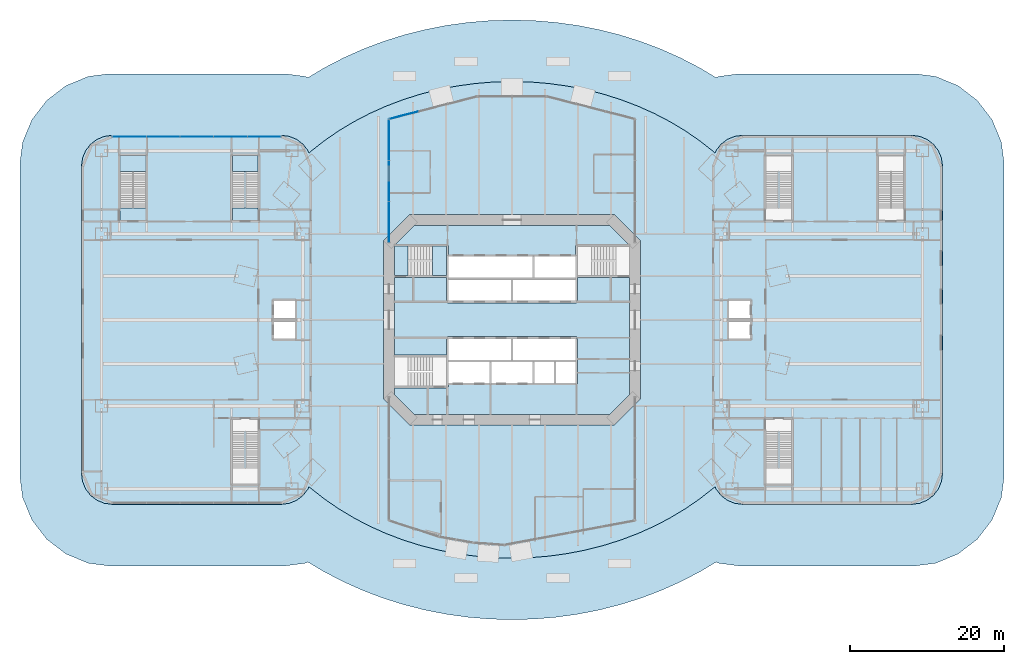
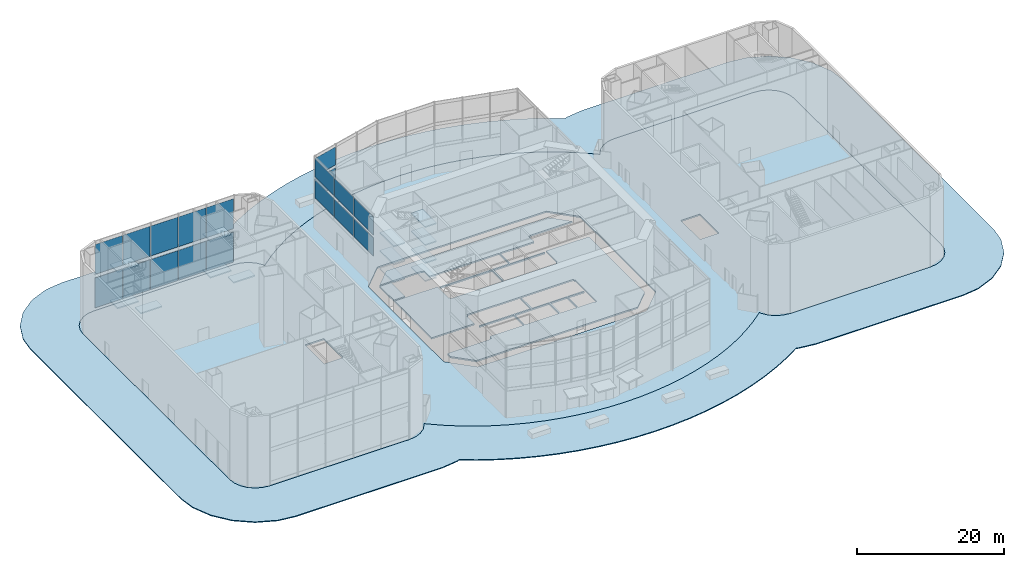
# One storey, part 9 of 23: 18 plates, 18 slabs, 6 elements without a shape of their own.
"""IFC4 building model written with IfcOpenShell, lengths in metres."""

from ifc_helpers import new_model, si_unit, direction, frame, origin, origin_2d, place, context, subcontext, project, spatial, polyline, rectangle, outline, extrude, material, layer, layer_set, type_object, element, aggregate, save


model = new_model("IFC4")

# Units and contexts
model_context = context("Model", 3, precision=1e-05, world=origin(), true_north=direction((0.0, 1.0)))
body_context = subcontext(model_context, "Body", "Model", "MODEL_VIEW")
ifc_project = project(units=[si_unit("LENGTHUNIT", "METRE"), si_unit("AREAUNIT", "SQUARE_METRE"), si_unit("VOLUMEUNIT", "CUBIC_METRE"), si_unit("PLANEANGLEUNIT", "RADIAN"), si_unit("MASSUNIT", "GRAM", prefix="KILO")], contexts=[model_context])

# Site, building, storey
site_placement = place(None, origin())
site = spatial("IfcSite", under=ifc_project, at=site_placement, CompositionType="ELEMENT")
building_placement = place(site_placement, origin())
building = spatial("IfcBuilding", under=site, at=building_placement, Name="Marenthal Gate Tower", CompositionType="ELEMENT")
storey_placement = place(building_placement, origin())
storey = spatial("IfcBuildingStorey", under=building, at=storey_placement, Name="L00", CompositionType="ELEMENT", Elevation=0.0)

# Slabs
ifc_material_1 = material(Name="Concrete 50 MPa", Category="concrete")
ifc_layer_1 = layer(ifc_material_1, 0.25)
ifc_layer_set_1 = layer_set([ifc_layer_1], Name="Core floor slab 250")
slab_type_1 = type_object("IfcSlabType", Name="Core floor slab 250", PredefinedType="FLOOR", material=ifc_layer_set_1)
slab_1_placement = place(storey_placement, frame((0.0, 0.0, -0.25)))
element("IfcSlab", 1, at=slab_1_placement, inside=storey, type_object=slab_type_1, Name="Core floor L00", PredefinedType="FLOOR", context=body_context, shape_type="SweptSolid", body=[
    extrude(outline(polyline([(15.300048828125, -9.710205078125), (12.710205078125, -12.300048828125), (-12.710205078125, -12.300048828125), (-15.300048828125, -9.710205078125), (-15.300048828125, -8.875), (-8.550048828125, -8.875), (-8.550048828125, -8.75), (-8.25, -8.75), (-8.25, -8.239990234375), (-5.60009765625, -8.239990234375), (-2.909912109375, -8.239990234375), (-2.909912109375, -5.4599609375), (-5.60009765625, -5.4599609375), (-8.25, -5.4599609375), (-8.25, -5.239990234375), (-5.60009765625, -5.239990234375), (-2.800048828125, -5.239990234375), (-0.110107421875, -5.239990234375), (-0.110107421875, -2.5), (0.110107421875, -2.5), (0.110107421875, -5.239990234375), (2.800048828125, -5.239990234375), (5.60009765625, -5.239990234375), (8.25, -5.239990234375), (8.25, -5.4599609375), (5.7099609375, -5.4599609375), (5.7099609375, -8.239990234375), (8.25, -8.239990234375), (8.25, -8.35009765625), (8.550048828125, -8.35009765625), (8.550048828125, -2.5), (8.39990234375, -2.5), (8.39990234375, -2.199951171875), (-8.39990234375, -2.199951171875), (-8.39990234375, -2.5), (-8.550048828125, -2.5), (-8.550048828125, -4.574951171875), (-15.300048828125, -4.574951171875), (-15.300048828125, 5.52490234375), (-8.550048828125, 5.52490234375), (-8.550048828125, 2.5), (-8.39990234375, 2.5), (-8.39990234375, 2.199951171875), (8.39990234375, 2.199951171875), (8.39990234375, 2.5), (8.550048828125, 2.5), (8.550048828125, 5.52490234375), (15.300048828125, 5.52490234375), (15.300048828125, -9.710205078125)]), holes=[polyline([(5.489990234375, -8.239990234375), (5.489990234375, -5.4599609375), (2.909912109375, -5.4599609375), (2.909912109375, -8.239990234375), (5.489990234375, -8.239990234375)]), polyline([(-2.68994140625, -5.4599609375), (-2.68994140625, -8.239990234375), (0.0, -8.239990234375), (2.68994140625, -8.239990234375), (2.68994140625, -5.4599609375), (0.0, -5.4599609375), (-2.68994140625, -5.4599609375)])]), origin(), (0.0, 0.0, 1.0), 0.25),
])
slab_2_placement = place(storey_placement, frame((0.0, 0.0, -0.25)))
element("IfcSlab", 2, at=slab_2_placement, inside=storey, type_object=slab_type_1, Name="Core floor L00", PredefinedType="FLOOR", context=body_context, shape_type="SweptSolid", body=[
    extrude(outline(polyline([(12.710205078125, 12.300048828125), (15.18505859375, 9.824951171875), (8.550048828125, 9.824951171875), (8.550048828125, 9.699951171875), (8.25, 9.699951171875), (8.25, 8.35009765625), (8.25, 8.239990234375), (5.60009765625, 8.239990234375), (2.909912109375, 8.239990234375), (2.909912109375, 5.4599609375), (5.60009765625, 5.4599609375), (8.25, 5.4599609375), (8.25, 5.239990234375), (5.60009765625, 5.239990234375), (2.800048828125, 5.239990234375), (0.110107421875, 5.239990234375), (0.110107421875, 2.5), (-0.110107421875, 2.5), (-0.110107421875, 5.239990234375), (-2.800048828125, 5.239990234375), (-5.60009765625, 5.239990234375), (-8.25, 5.239990234375), (-8.25, 5.4599609375), (-5.60009765625, 5.4599609375), (-2.800048828125, 5.4599609375), (0.0, 5.4599609375), (2.68994140625, 5.4599609375), (2.68994140625, 8.239990234375), (0.0, 8.239990234375), (-2.800048828125, 8.239990234375), (-5.60009765625, 8.239990234375), (-8.25, 8.239990234375), (-8.25, 8.35009765625), (-8.25, 9.699951171875), (-8.550048828125, 9.699951171875), (-8.550048828125, 9.824951171875), (-15.18505859375, 9.824951171875), (-12.710205078125, 12.300048828125), (12.710205078125, 12.300048828125)])), origin(), (0.0, 0.0, 1.0), 0.25),
])
slab_3_placement = place(storey_placement, frame((0.0, 0.0, -0.25)))
element("IfcSlab", 3, at=slab_3_placement, inside=storey, type_object=slab_type_1, Name="Core floor L00", PredefinedType="FLOOR", context=body_context, shape_type="SweptSolid", body=[
    extrude(outline(polyline([(-15.300048828125, 9.574951171875), (-13.5, 9.574951171875), (-13.5, 5.77490234375), (-15.300048828125, 5.77490234375), (-15.300048828125, 9.574951171875)])), origin(), (0.0, 0.0, 1.0), 0.25),
])

# Curtain wall, plates
ifc_material_2 = material(Name="Aluminium and glass", Category="aluminium")
curtain_wall_type_1 = type_object("IfcCurtainWallType", Name="Curtain wall arch infill", PredefinedType="NOTDEFINED", material=ifc_material_2)
curtain_wall_1_placement = place(storey_placement, origin())
curtain_wall_1 = element("IfcCurtainWall", 4, at=curtain_wall_1_placement, inside=storey, type_object=curtain_wall_type_1, Name="Curtain wall L00 arch N1", PredefinedType="NOTDEFINED")
ifc_material_3 = material(Name="Glass, laminated impact-rated unit", Category="glass")
ifc_layer_2 = layer(ifc_material_3, 0.035888671875)
ifc_layer_set_2 = layer_set([ifc_layer_2], Name="Glass panel 36 arch infill")
plate_type_1 = type_object("IfcPlateType", Name="Glass panel 36 arch infill", PredefinedType="CURTAIN_PANEL", material=ifc_layer_set_2)
plate_1_placement = place(storey_placement, frame((-14.0576171875, 26.614501953125, 5.0), z_axis=(0.0, 0.0, 1.0), x_axis=(0.968768898542, 0.247965362941, 0.0)))
plate_1 = element("IfcPlate", 5, at=plate_1_placement, type_object=plate_type_1, Name="Glass panel L00 arch N1.1.1", PredefinedType="CURTAIN_PANEL", context=body_context, shape_type="SweptSolid", body=[
    extrude(rectangle(XDim=3.850341796875, YDim=0.035888671875, at=origin_2d()), origin(), (0.0, 0.0, 1.0), 3.0),
])
plate_2_placement = place(storey_placement, frame((-14.0576171875, 26.614501953125, 8.5), z_axis=(0.0, 0.0, 1.0), x_axis=(0.968768898542, 0.247965362941, 0.0)))
plate_2 = element("IfcPlate", 6, at=plate_2_placement, type_object=plate_type_1, Name="Glass panel L00 arch N1.1.2", PredefinedType="CURTAIN_PANEL", context=body_context, shape_type="SweptSolid", body=[
    extrude(rectangle(XDim=3.850341796875, YDim=0.035888671875, at=origin_2d()), origin(), (0.0, 0.0, 1.0), 3.0),
])
aggregate(curtain_wall_1, [plate_1, plate_2])

curtain_wall_2_placement = place(storey_placement, origin())
curtain_wall_2 = element("IfcCurtainWall", 7, at=curtain_wall_2_placement, inside=storey, type_object=curtain_wall_type_1, Name="Curtain wall L00 hall NW1", PredefinedType="NOTDEFINED")
plate_3_placement = place(storey_placement, frame((-16.0, 12.712890625, 5.0), z_axis=(0.0, 0.0, 1.0), x_axis=(0.0, 1.0, 0.0)))
plate_3 = element("IfcPlate", 8, at=plate_3_placement, type_object=plate_type_1, Name="Glass panel L00 hall NW1.1.1", PredefinedType="CURTAIN_PANEL", context=body_context, shape_type="SweptSolid", body=[
    extrude(rectangle(XDim=5.265869140625, YDim=0.035888671875, at=origin_2d()), origin(), (0.0, 0.0, 1.0), 3.0),
])
plate_4_placement = place(storey_placement, frame((-16.0, 12.712890625, 8.5), z_axis=(0.0, 0.0, 1.0), x_axis=(0.0, 1.0, 0.0)))
plate_4 = element("IfcPlate", 9, at=plate_4_placement, type_object=plate_type_1, Name="Glass panel L00 hall NW1.1.2", PredefinedType="CURTAIN_PANEL", context=body_context, shape_type="SweptSolid", body=[
    extrude(rectangle(XDim=5.265869140625, YDim=0.035888671875, at=origin_2d()), origin(), (0.0, 0.0, 1.0), 3.0),
])
plate_5_placement = place(storey_placement, frame((-16.0, 18.05859375, 5.0), z_axis=(0.0, 0.0, 1.0), x_axis=(0.0, 1.0, 0.0)))
plate_5 = element("IfcPlate", 10, at=plate_5_placement, type_object=plate_type_1, Name="Glass panel L00 hall NW1.2.1", PredefinedType="CURTAIN_PANEL", context=body_context, shape_type="SweptSolid", body=[
    extrude(rectangle(XDim=5.265869140625, YDim=0.035888671875, at=origin_2d()), origin(), (0.0, 0.0, 1.0), 3.0),
])
plate_6_placement = place(storey_placement, frame((-16.0, 18.05859375, 8.5), z_axis=(0.0, 0.0, 1.0), x_axis=(0.0, 1.0, 0.0)))
plate_6 = element("IfcPlate", 11, at=plate_6_placement, type_object=plate_type_1, Name="Glass panel L00 hall NW1.2.2", PredefinedType="CURTAIN_PANEL", context=body_context, shape_type="SweptSolid", body=[
    extrude(rectangle(XDim=5.265869140625, YDim=0.035888671875, at=origin_2d()), origin(), (0.0, 0.0, 1.0), 3.0),
])
plate_7_placement = place(storey_placement, frame((-16.0, 23.404541015625, 5.0), z_axis=(0.0, 0.0, 1.0), x_axis=(0.0, 1.0, 0.0)))
plate_7 = element("IfcPlate", 12, at=plate_7_placement, type_object=plate_type_1, Name="Glass panel L00 hall NW1.3.1", PredefinedType="CURTAIN_PANEL", context=body_context, shape_type="SweptSolid", body=[
    extrude(rectangle(XDim=5.265869140625, YDim=0.035888671875, at=origin_2d()), origin(), (0.0, 0.0, 1.0), 3.0),
])
plate_8_placement = place(storey_placement, frame((-16.0, 23.404541015625, 8.5), z_axis=(0.0, 0.0, 1.0), x_axis=(0.0, 1.0, 0.0)))
plate_8 = element("IfcPlate", 13, at=plate_8_placement, type_object=plate_type_1, Name="Glass panel L00 hall NW1.3.2", PredefinedType="CURTAIN_PANEL", context=body_context, shape_type="SweptSolid", body=[
    extrude(rectangle(XDim=5.265869140625, YDim=0.035888671875, at=origin_2d()), origin(), (0.0, 0.0, 1.0), 3.0),
])
aggregate(curtain_wall_2, [plate_3, plate_4, plate_5, plate_6, plate_7, plate_8])

ifc_material_4 = material(Name="Aluminium and glass", Category="aluminium")
curtain_wall_type_2 = type_object("IfcCurtainWallType", Name="Curtain wall podium impact", PredefinedType="NOTDEFINED", material=ifc_material_4)
curtain_wall_3_placement = place(storey_placement, origin())
curtain_wall_3 = element("IfcCurtainWall", 14, at=curtain_wall_3_placement, inside=storey, type_object=curtain_wall_type_2, Name="Curtain wall L00 W6", PredefinedType="NOTDEFINED")
ifc_material_5 = material(Name="Glass, laminated impact-rated unit", Category="glass")
ifc_layer_3 = layer(ifc_material_5, 0.0400390625)
ifc_layer_set_3 = layer_set([ifc_layer_3], Name="Glass panel 40 podium impact")
plate_type_2 = type_object("IfcPlateType", Name="Glass panel 40 podium impact", PredefinedType="CURTAIN_PANEL", material=ifc_layer_set_3)
plate_9_placement = place(storey_placement, frame((-32.2412109375, 23.824951171875, 0.599853515625), z_axis=(0.0, 0.0, 1.0), x_axis=(-1.0, 0.0, 0.0)))
plate_9 = element("IfcPlate", 15, at=plate_9_placement, type_object=plate_type_2, Name="Glass panel L00 W6.1.1", PredefinedType="CURTAIN_PANEL", context=body_context, shape_type="SweptSolid", body=[
    extrude(rectangle(XDim=4.29931640625, YDim=0.0400390625, at=origin_2d()), origin(), (0.0, 0.0, 1.0), 4.97509765625),
])
plate_10_placement = place(storey_placement, frame((-32.2412109375, 23.824951171875, 6.175048828125), z_axis=(0.0, 0.0, 1.0), x_axis=(-1.0, 0.0, 0.0)))
plate_10 = element("IfcPlate", 16, at=plate_10_placement, type_object=plate_type_2, Name="Glass panel L00 W6.1.2", PredefinedType="CURTAIN_PANEL", context=body_context, shape_type="SweptSolid", body=[
    extrude(rectangle(XDim=4.29931640625, YDim=0.0400390625, at=origin_2d()), origin(), (0.0, 0.0, 1.0), 4.97509765625),
])
plate_11_placement = place(storey_placement, frame((-36.62060546875, 23.824951171875, 0.599853515625), z_axis=(0.0, 0.0, 1.0), x_axis=(-1.0, 0.0, 0.0)))
plate_11 = element("IfcPlate", 17, at=plate_11_placement, type_object=plate_type_2, Name="Glass panel L00 W6.2.1", PredefinedType="CURTAIN_PANEL", context=body_context, shape_type="SweptSolid", body=[
    extrude(rectangle(XDim=4.29931640625, YDim=0.0400390625, at=origin_2d()), origin(), (0.0, 0.0, 1.0), 4.97509765625),
])
plate_12_placement = place(storey_placement, frame((-36.62060546875, 23.824951171875, 6.175048828125), z_axis=(0.0, 0.0, 1.0), x_axis=(-1.0, 0.0, 0.0)))
plate_12 = element("IfcPlate", 18, at=plate_12_placement, type_object=plate_type_2, Name="Glass panel L00 W6.2.2", PredefinedType="CURTAIN_PANEL", context=body_context, shape_type="SweptSolid", body=[
    extrude(rectangle(XDim=4.29931640625, YDim=0.0400390625, at=origin_2d()), origin(), (0.0, 0.0, 1.0), 4.97509765625),
])
plate_13_placement = place(storey_placement, frame((-41.0, 23.824951171875, 0.599853515625), z_axis=(0.0, 0.0, 1.0), x_axis=(-1.0, 0.0, 0.0)))
plate_13 = element("IfcPlate", 19, at=plate_13_placement, type_object=plate_type_2, Name="Glass panel L00 W6.3.1", PredefinedType="CURTAIN_PANEL", context=body_context, shape_type="SweptSolid", body=[
    extrude(rectangle(XDim=4.29931640625, YDim=0.0400390625, at=origin_2d()), origin(), (0.0, 0.0, 1.0), 4.97509765625),
])
plate_14_placement = place(storey_placement, frame((-41.0, 23.824951171875, 6.175048828125), z_axis=(0.0, 0.0, 1.0), x_axis=(-1.0, 0.0, 0.0)))
plate_14 = element("IfcPlate", 20, at=plate_14_placement, type_object=plate_type_2, Name="Glass panel L00 W6.3.2", PredefinedType="CURTAIN_PANEL", context=body_context, shape_type="SweptSolid", body=[
    extrude(rectangle(XDim=4.29931640625, YDim=0.0400390625, at=origin_2d()), origin(), (0.0, 0.0, 1.0), 4.97509765625),
])
plate_15_placement = place(storey_placement, frame((-45.37939453125, 23.824951171875, 0.599853515625), z_axis=(0.0, 0.0, 1.0), x_axis=(-1.0, 0.0, 0.0)))
plate_15 = element("IfcPlate", 21, at=plate_15_placement, type_object=plate_type_2, Name="Glass panel L00 W6.4.1", PredefinedType="CURTAIN_PANEL", context=body_context, shape_type="SweptSolid", body=[
    extrude(rectangle(XDim=4.29931640625, YDim=0.0400390625, at=origin_2d()), origin(), (0.0, 0.0, 1.0), 4.97509765625),
])
plate_16_placement = place(storey_placement, frame((-45.37939453125, 23.824951171875, 6.175048828125), z_axis=(0.0, 0.0, 1.0), x_axis=(-1.0, 0.0, 0.0)))
plate_16 = element("IfcPlate", 22, at=plate_16_placement, type_object=plate_type_2, Name="Glass panel L00 W6.4.2", PredefinedType="CURTAIN_PANEL", context=body_context, shape_type="SweptSolid", body=[
    extrude(rectangle(XDim=4.29931640625, YDim=0.0400390625, at=origin_2d()), origin(), (0.0, 0.0, 1.0), 4.97509765625),
])
plate_17_placement = place(storey_placement, frame((-49.7587890625, 23.824951171875, 0.599853515625), z_axis=(0.0, 0.0, 1.0), x_axis=(-1.0, 0.0, 0.0)))
plate_17 = element("IfcPlate", 23, at=plate_17_placement, type_object=plate_type_2, Name="Glass panel L00 W6.5.1", PredefinedType="CURTAIN_PANEL", context=body_context, shape_type="SweptSolid", body=[
    extrude(rectangle(XDim=4.29931640625, YDim=0.0400390625, at=origin_2d()), origin(), (0.0, 0.0, 1.0), 4.97509765625),
])
plate_18_placement = place(storey_placement, frame((-49.7587890625, 23.824951171875, 6.175048828125), z_axis=(0.0, 0.0, 1.0), x_axis=(-1.0, 0.0, 0.0)))
plate_18 = element("IfcPlate", 24, at=plate_18_placement, type_object=plate_type_2, Name="Glass panel L00 W6.5.2", PredefinedType="CURTAIN_PANEL", context=body_context, shape_type="SweptSolid", body=[
    extrude(rectangle(XDim=4.29931640625, YDim=0.0400390625, at=origin_2d()), origin(), (0.0, 0.0, 1.0), 4.97509765625),
])
aggregate(curtain_wall_3, [plate_9, plate_10, plate_11, plate_12, plate_13, plate_14, plate_15, plate_16, plate_17, plate_18])

# Slabs
ifc_material_6 = material(Name="Concrete 35 MPa", Category="concrete")
ifc_layer_4 = layer(ifc_material_6, 0.25)
ifc_layer_set_4 = layer_set([ifc_layer_4], Name="PLAZA AND PODIUM DECK 250")
slab_type_2 = type_object("IfcSlabType", Name="PLAZA AND PODIUM DECK 250", PredefinedType="FLOOR", material=ifc_layer_set_4)
slab_4_placement = place(storey_placement, frame((0.0, 0.0, -0.25)))
element("IfcSlab", 25, at=slab_4_placement, inside=storey, type_object=slab_type_2, Name="SL-L00-11", PredefinedType="FLOOR", context=body_context, shape_type="SweptSolid", body=[
    extrude(outline(polyline([(-28.0, -23.464111328125), (-28.964599609375, -23.86376953125), (-30.0, -24.0), (-52.0, -24.0), (-53.035400390625, -23.86376953125), (-54.0, -23.464111328125), (-54.828369140625, -22.828369140625), (-55.464111328125, -22.0), (-55.86376953125, -21.035400390625), (-56.0, -20.0), (-56.0, 20.0), (-55.86376953125, 21.035400390625), (-55.464111328125, 22.0), (-54.828369140625, 22.828369140625), (-54.0, 23.464111328125), (-53.035400390625, 23.86376953125), (-52.0, 24.0), (-30.0, 24.0), (-28.964599609375, 23.86376953125), (-28.0, 23.464111328125), (-27.171630859375, 22.828369140625), (-26.535888671875, 22.0), (-26.410888671875, 21.698486328125), (-26.1630859375, 21.92041015625), (-24.395751953125, 23.306884765625), (-22.524169921875, 24.593994140625), (-20.55615234375, 25.775634765625), (-18.5, 26.8466796875), (-16.36474609375, 27.802978515625), (-14.1591796875, 28.640380859375), (-11.893310546875, 29.354736328125), (-9.576416015625, 29.943603515625), (-7.21826171875, 30.404296875), (-4.82958984375, 30.73486328125), (-2.419921875, 30.93359375), (0.0, 31.0), (2.419921875, 30.93359375), (4.82958984375, 30.73486328125), (7.21826171875, 30.404296875), (9.576416015625, 29.943603515625), (11.893310546875, 29.354736328125), (14.1591796875, 28.640380859375), (16.36474609375, 27.802978515625), (18.5, 26.8466796875), (20.55615234375, 25.775634765625), (22.524169921875, 24.593994140625), (24.395751953125, 23.306884765625), (26.1630859375, 21.92041015625), (26.410888671875, 21.698486328125), (26.535888671875, 22.0), (27.171630859375, 22.828369140625), (28.0, 23.464111328125), (28.964599609375, 23.86376953125), (30.0, 24.0), (52.0, 24.0), (53.035400390625, 23.86376953125), (54.0, 23.464111328125), (54.828369140625, 22.828369140625), (55.464111328125, 22.0), (55.86376953125, 21.035400390625), (56.0, 20.0), (56.0, -20.0), (55.86376953125, -21.035400390625), (55.464111328125, -22.0), (54.828369140625, -22.828369140625), (54.0, -23.464111328125), (53.035400390625, -23.86376953125), (52.0, -24.0), (30.0, -24.0), (28.964599609375, -23.86376953125), (28.0, -23.464111328125), (27.171630859375, -22.828369140625), (26.535888671875, -22.0), (26.410888671875, -21.698486328125), (26.1630859375, -21.92041015625), (24.395751953125, -23.306884765625), (22.524169921875, -24.593994140625), (20.55615234375, -25.775634765625), (18.5, -26.8466796875), (16.36474609375, -27.802978515625), (14.1591796875, -28.640380859375), (11.893310546875, -29.354736328125), (9.576416015625, -29.943603515625), (7.21826171875, -30.404296875), (4.82958984375, -30.73486328125), (2.419921875, -30.93359375), (0.0, -31.0), (-2.419921875, -30.93359375), (-4.82958984375, -30.73486328125), (-7.21826171875, -30.404296875), (-9.576416015625, -29.943603515625), (-11.893310546875, -29.354736328125), (-14.1591796875, -28.640380859375), (-16.36474609375, -27.802978515625), (-18.5, -26.8466796875), (-20.55615234375, -25.775634765625), (-22.524169921875, -24.593994140625), (-24.395751953125, -23.306884765625), (-26.1630859375, -21.92041015625), (-26.410888671875, -21.698486328125), (-26.535888671875, -22.0), (-27.171630859375, -22.828369140625), (-28.0, -23.464111328125)]), holes=[polyline([(16.699951171875, 10.289794921875), (13.289794921875, 13.699951171875), (-13.289794921875, 13.699951171875), (-16.699951171875, 10.289794921875), (-16.699951171875, -10.289794921875), (-13.289794921875, -13.699951171875), (13.289794921875, -13.699951171875), (16.699951171875, -10.289794921875), (16.699951171875, 10.289794921875)]), polyline([(-28.10009765625, -2.60009765625), (-28.10009765625, 2.60009765625), (-31.10009765625, 2.60009765625), (-31.10009765625, -2.60009765625), (-28.10009765625, -2.60009765625)]), polyline([(31.10009765625, -2.60009765625), (31.10009765625, 2.60009765625), (28.10009765625, 2.60009765625), (28.10009765625, -2.60009765625), (31.10009765625, -2.60009765625)])]), origin(), (0.0, 0.0, 1.0), 0.25),
])
ifc_material_7 = material(Name="Concrete 35 MPa", Category="concrete")
ifc_layer_5 = layer(ifc_material_7, 0.14990234375)
ifc_layer_set_5 = layer_set([ifc_layer_5], Name="Plaza paving 150")
slab_type_3 = type_object("IfcSlabType", Name="Plaza paving 150", PredefinedType="USERDEFINED", material=ifc_layer_set_5)
slab_5_placement = place(storey_placement, frame((0.0, 0.0, -0.14990234375)))
element("IfcSlab", 26, at=slab_5_placement, inside=storey, type_object=slab_type_3, Name="Plaza paving", ObjectType="PAVING", PredefinedType="USERDEFINED", context=body_context, shape_type="SweptSolid", body=[
    extrude(outline(polyline([(-26.535888671875, -31.51708984375), (-26.8759765625, -31.657958984375), (-29.47607421875, -32.0), (-52.52392578125, -32.0), (-55.1240234375, -31.657958984375), (-58.034912109375, -30.451904296875), (-60.533935546875, -28.533935546875), (-62.451904296875, -26.034912109375), (-63.657958984375, -23.1240234375), (-64.0, -20.52392578125), (-64.0, 20.52392578125), (-63.657958984375, 23.1240234375), (-62.451904296875, 26.034912109375), (-60.533935546875, 28.533935546875), (-58.034912109375, 30.451904296875), (-55.1240234375, 31.657958984375), (-52.52392578125, 32.0), (-29.47607421875, 32.0), (-26.8759765625, 31.657958984375), (-26.535888671875, 31.51708984375), (-24.467041015625, 32.759033203125), (-21.986083984375, 34.051025390625), (-19.422119140625, 35.199951171875), (-16.783935546875, 36.200927734375), (-14.0830078125, 37.052978515625), (-11.330078125, 37.751953125), (-8.533935546875, 38.298095703125), (-5.70703125, 38.68994140625), (-2.85888671875, 38.925048828125), (0.0, 39.0029296875), (2.85888671875, 38.925048828125), (5.70703125, 38.68994140625), (8.533935546875, 38.298095703125), (11.330078125, 37.751953125), (14.0830078125, 37.052978515625), (16.783935546875, 36.200927734375), (19.422119140625, 35.199951171875), (21.986083984375, 34.051025390625), (24.467041015625, 32.759033203125), (26.535888671875, 31.51708984375), (26.8759765625, 31.657958984375), (29.47607421875, 32.0), (52.52392578125, 32.0), (55.1240234375, 31.657958984375), (58.034912109375, 30.451904296875), (60.533935546875, 28.533935546875), (62.451904296875, 26.034912109375), (63.657958984375, 23.1240234375), (64.0, 20.52392578125), (64.0, -20.52392578125), (63.657958984375, -23.1240234375), (62.451904296875, -26.034912109375), (60.533935546875, -28.533935546875), (58.034912109375, -30.451904296875), (55.1240234375, -31.657958984375), (52.52392578125, -32.0), (29.47607421875, -32.0), (26.8759765625, -31.657958984375), (26.535888671875, -31.51708984375), (24.467041015625, -32.759033203125), (21.986083984375, -34.051025390625), (19.422119140625, -35.199951171875), (16.783935546875, -36.200927734375), (14.0830078125, -37.052978515625), (11.330078125, -37.751953125), (8.533935546875, -38.298095703125), (5.70703125, -38.68994140625), (2.85888671875, -38.925048828125), (0.0, -39.0029296875), (-2.85888671875, -38.925048828125), (-5.70703125, -38.68994140625), (-8.533935546875, -38.298095703125), (-11.330078125, -37.751953125), (-14.0830078125, -37.052978515625), (-16.783935546875, -36.200927734375), (-19.422119140625, -35.199951171875), (-21.986083984375, -34.051025390625), (-24.467041015625, -32.759033203125), (-26.535888671875, -31.51708984375)]), holes=[polyline([(24.39599609375, -23.306884765625), (22.52392578125, -24.593994140625), (20.555908203125, -25.77587890625), (18.5, -26.846923828125), (16.364990234375, -27.802978515625), (14.158935546875, -28.639892578125), (11.89306640625, -29.35498046875), (9.575927734375, -29.944091796875), (7.218017578125, -30.404052734375), (4.830078125, -30.735107421875), (2.419921875, -30.93408203125), (0.0, -31.0), (-2.419921875, -30.93408203125), (-4.830078125, -30.735107421875), (-7.218017578125, -30.404052734375), (-9.575927734375, -29.944091796875), (-11.89306640625, -29.35498046875), (-14.158935546875, -28.639892578125), (-16.364990234375, -27.802978515625), (-18.5, -26.846923828125), (-20.555908203125, -25.77587890625), (-22.52392578125, -24.593994140625), (-24.39599609375, -23.306884765625), (-26.1630859375, -21.919921875), (-26.410888671875, -21.697998046875), (-26.535888671875, -22.0), (-27.172119140625, -22.827880859375), (-28.0, -23.464111328125), (-28.965087890625, -23.864013671875), (-30.0, -24.0), (-52.0, -24.0), (-53.034912109375, -23.864013671875), (-54.0, -23.464111328125), (-54.827880859375, -22.827880859375), (-55.464111328125, -22.0), (-55.864013671875, -21.034912109375), (-56.0, -20.0), (-56.0, 20.0), (-55.864013671875, 21.034912109375), (-55.464111328125, 22.0), (-54.827880859375, 22.827880859375), (-54.0, 23.464111328125), (-53.034912109375, 23.864013671875), (-52.0, 24.0), (-30.0, 24.0), (-28.965087890625, 23.864013671875), (-28.0, 23.464111328125), (-27.172119140625, 22.827880859375), (-26.535888671875, 22.0), (-26.410888671875, 21.697998046875), (-26.1630859375, 21.919921875), (-24.39599609375, 23.306884765625), (-22.52392578125, 24.593994140625), (-20.555908203125, 25.77587890625), (-18.5, 26.846923828125), (-16.364990234375, 27.802978515625), (-14.158935546875, 28.639892578125), (-11.89306640625, 29.35498046875), (-9.575927734375, 29.944091796875), (-7.218017578125, 30.404052734375), (-4.830078125, 30.735107421875), (-2.419921875, 30.93408203125), (0.0, 31.0), (2.419921875, 30.93408203125), (4.830078125, 30.735107421875), (7.218017578125, 30.404052734375), (9.575927734375, 29.944091796875), (11.89306640625, 29.35498046875), (14.158935546875, 28.639892578125), (16.364990234375, 27.802978515625), (18.5, 26.846923828125), (20.555908203125, 25.77587890625), (22.52392578125, 24.593994140625), (24.39599609375, 23.306884765625), (26.1630859375, 21.919921875), (26.410888671875, 21.697998046875), (26.535888671875, 22.0), (27.172119140625, 22.827880859375), (28.0, 23.464111328125), (28.965087890625, 23.864013671875), (30.0, 24.0), (52.0, 24.0), (53.034912109375, 23.864013671875), (54.0, 23.464111328125), (54.827880859375, 22.827880859375), (55.464111328125, 22.0), (55.864013671875, 21.034912109375), (56.0, 20.0), (56.0, -20.0), (55.864013671875, -21.034912109375), (55.464111328125, -22.0), (54.827880859375, -22.827880859375), (54.0, -23.464111328125), (53.034912109375, -23.864013671875), (52.0, -24.0), (30.0, -24.0), (28.965087890625, -23.864013671875), (28.0, -23.464111328125), (27.172119140625, -22.827880859375), (26.535888671875, -22.0), (26.410888671875, -21.697998046875), (26.1630859375, -21.919921875), (24.39599609375, -23.306884765625)])]), origin(), (0.0, 0.0, 1.0), 0.14990234375),
])

# Stair, slabs
ifc_material_8 = material(Name="Concrete 40 MPa", Category="concrete")
stair_type_1 = type_object("IfcStairType", Name="Exit stair 1800", PredefinedType="HALF_TURN_STAIR", material=ifc_material_8)
stair_1_placement = place(storey_placement, origin())
stair_1 = element("IfcStair", 27, at=stair_1_placement, inside=storey, type_object=stair_type_1, Name="Stair ST1", PredefinedType="HALF_TURN_STAIR")
ifc_material_9 = material(Name="Concrete 40 MPa", Category="concrete")
ifc_layer_6 = layer(ifc_material_9, 0.199951171875)
ifc_layer_set_6 = layer_set([ifc_layer_6], Name="Stair landing 200")
slab_type_4 = type_object("IfcSlabType", Name="Stair landing 200", PredefinedType="LANDING", material=ifc_layer_set_6)
slab_6_placement = place(storey_placement, frame((0.0, 0.0, 1.300048828125)))
slab_6 = element("IfcSlab", 28, at=slab_6_placement, type_object=slab_type_4, Name="ST1 landing 1", PredefinedType="LANDING", context=body_context, shape_type="SweptSolid", body=[
    extrude(outline(polyline([(-10.350341796875, 5.77490234375), (-8.550048828125, 5.77490234375), (-8.550048828125, 9.574951171875), (-10.350341796875, 9.574951171875), (-10.350341796875, 5.77490234375)])), origin(), (0.0, 0.0, 1.0), 0.199951171875),
])
slab_7_placement = place(storey_placement, frame((0.0, 0.0, 2.800048828125)))
slab_7 = element("IfcSlab", 29, at=slab_7_placement, type_object=slab_type_4, Name="ST1 landing 2", PredefinedType="LANDING", context=body_context, shape_type="SweptSolid", body=[
    extrude(outline(polyline([(-15.300048828125, 5.77490234375), (-13.5, 5.77490234375), (-13.5, 9.574951171875), (-15.300048828125, 9.574951171875), (-15.300048828125, 5.77490234375)])), origin(), (0.0, 0.0, 1.0), 0.199951171875),
])
slab_8_placement = place(storey_placement, frame((0.0, 0.0, 4.300048828125)))
slab_8 = element("IfcSlab", 30, at=slab_8_placement, type_object=slab_type_4, Name="ST1 landing 3", PredefinedType="LANDING", context=body_context, shape_type="SweptSolid", body=[
    extrude(outline(polyline([(-10.350341796875, 5.77490234375), (-8.550048828125, 5.77490234375), (-8.550048828125, 9.574951171875), (-10.350341796875, 9.574951171875), (-10.350341796875, 5.77490234375)])), origin(), (0.0, 0.0, 1.0), 0.199951171875),
])
slab_9_placement = place(storey_placement, frame((0.0, 0.0, 5.800048828125)))
slab_9 = element("IfcSlab", 31, at=slab_9_placement, type_object=slab_type_4, Name="ST1 landing 4", PredefinedType="LANDING", context=body_context, shape_type="SweptSolid", body=[
    extrude(outline(polyline([(-15.300048828125, 5.77490234375), (-13.5, 5.77490234375), (-13.5, 9.574951171875), (-15.300048828125, 9.574951171875), (-15.300048828125, 5.77490234375)])), origin(), (0.0, 0.0, 1.0), 0.199951171875),
])
slab_10_placement = place(storey_placement, frame((0.0, 0.0, 7.300048828125)))
slab_10 = element("IfcSlab", 32, at=slab_10_placement, type_object=slab_type_4, Name="ST1 landing 5", PredefinedType="LANDING", context=body_context, shape_type="SweptSolid", body=[
    extrude(outline(polyline([(-10.350341796875, 5.77490234375), (-8.550048828125, 5.77490234375), (-8.550048828125, 9.574951171875), (-10.350341796875, 9.574951171875), (-10.350341796875, 5.77490234375)])), origin(), (0.0, 0.0, 1.0), 0.199951171875),
])
slab_11_placement = place(storey_placement, frame((0.0, 0.0, 8.800048828125)))
slab_11 = element("IfcSlab", 33, at=slab_11_placement, type_object=slab_type_4, Name="ST1 landing 6", PredefinedType="LANDING", context=body_context, shape_type="SweptSolid", body=[
    extrude(outline(polyline([(-15.300048828125, 5.77490234375), (-13.5, 5.77490234375), (-13.5, 9.574951171875), (-15.300048828125, 9.574951171875), (-15.300048828125, 5.77490234375)])), origin(), (0.0, 0.0, 1.0), 0.199951171875),
])
slab_12_placement = place(storey_placement, frame((0.0, 0.0, 10.300048828125)))
slab_12 = element("IfcSlab", 34, at=slab_12_placement, type_object=slab_type_4, Name="ST1 landing 7", PredefinedType="LANDING", context=body_context, shape_type="SweptSolid", body=[
    extrude(outline(polyline([(-10.350341796875, 5.77490234375), (-8.550048828125, 5.77490234375), (-8.550048828125, 9.574951171875), (-10.350341796875, 9.574951171875), (-10.350341796875, 5.77490234375)])), origin(), (0.0, 0.0, 1.0), 0.199951171875),
])
aggregate(stair_1, [slab_6, slab_7, slab_8, slab_9, slab_10, slab_11, slab_12])

ifc_material_10 = material(Name="Concrete 40 MPa", Category="concrete")
stair_type_2 = type_object("IfcStairType", Name="Exit stair 1600", PredefinedType="HALF_TURN_STAIR", material=ifc_material_10)
stair_2_placement = place(storey_placement, origin())
stair_2 = element("IfcStair", 35, at=stair_2_placement, inside=storey, type_object=stair_type_2, Name="Stair W1", PredefinedType="HALF_TURN_STAIR")
slab_13_placement = place(storey_placement, frame((0.0, 0.0, 2.800048828125)))
slab_13 = element("IfcSlab", 36, at=slab_13_placement, type_object=slab_type_4, Name="W1 landing 1", PredefinedType="LANDING", context=body_context, shape_type="SweptSolid", body=[
    extrude(outline(polyline([(-36.375, 19.284912109375), (-36.375, 21.375), (-33.02490234375, 21.375), (-33.02490234375, 19.284912109375), (-36.375, 19.284912109375)])), origin(), (0.0, 0.0, 1.0), 0.199951171875),
])
slab_14_placement = place(storey_placement, frame((0.0, 0.0, 5.800048828125)))
slab_14 = element("IfcSlab", 37, at=slab_14_placement, type_object=slab_type_4, Name="W1 landing 2", PredefinedType="LANDING", context=body_context, shape_type="SweptSolid", body=[
    extrude(outline(polyline([(-36.375, 12.925048828125), (-36.375, 14.52490234375), (-33.02490234375, 14.52490234375), (-33.02490234375, 12.925048828125), (-36.375, 12.925048828125)])), origin(), (0.0, 0.0, 1.0), 0.199951171875),
])
slab_15_placement = place(storey_placement, frame((0.0, 0.0, 8.800048828125)))
slab_15 = element("IfcSlab", 38, at=slab_15_placement, type_object=slab_type_4, Name="W1 landing 3", PredefinedType="LANDING", context=body_context, shape_type="SweptSolid", body=[
    extrude(outline(polyline([(-36.375, 19.284912109375), (-36.375, 21.375), (-33.02490234375, 21.375), (-33.02490234375, 19.284912109375), (-36.375, 19.284912109375)])), origin(), (0.0, 0.0, 1.0), 0.199951171875),
])
aggregate(stair_2, [slab_13, slab_14, slab_15])

stair_3_placement = place(storey_placement, origin())
stair_3 = element("IfcStair", 39, at=stair_3_placement, inside=storey, type_object=stair_type_2, Name="Stair W3", PredefinedType="HALF_TURN_STAIR")
slab_16_placement = place(storey_placement, frame((0.0, 0.0, 2.800048828125)))
slab_16 = element("IfcSlab", 40, at=slab_16_placement, type_object=slab_type_4, Name="W3 landing 1", PredefinedType="LANDING", context=body_context, shape_type="SweptSolid", body=[
    extrude(outline(polyline([(-50.97509765625, 19.284912109375), (-50.97509765625, 21.375), (-47.625, 21.375), (-47.625, 19.284912109375), (-50.97509765625, 19.284912109375)])), origin(), (0.0, 0.0, 1.0), 0.199951171875),
])
slab_17_placement = place(storey_placement, frame((0.0, 0.0, 5.800048828125)))
slab_17 = element("IfcSlab", 41, at=slab_17_placement, type_object=slab_type_4, Name="W3 landing 2", PredefinedType="LANDING", context=body_context, shape_type="SweptSolid", body=[
    extrude(outline(polyline([(-50.97509765625, 12.925048828125), (-50.97509765625, 14.52490234375), (-47.625, 14.52490234375), (-47.625, 12.925048828125), (-50.97509765625, 12.925048828125)])), origin(), (0.0, 0.0, 1.0), 0.199951171875),
])
slab_18_placement = place(storey_placement, frame((0.0, 0.0, 8.800048828125)))
slab_18 = element("IfcSlab", 42, at=slab_18_placement, type_object=slab_type_4, Name="W3 landing 3", PredefinedType="LANDING", context=body_context, shape_type="SweptSolid", body=[
    extrude(outline(polyline([(-50.97509765625, 19.284912109375), (-50.97509765625, 21.375), (-47.625, 21.375), (-47.625, 19.284912109375), (-50.97509765625, 19.284912109375)])), origin(), (0.0, 0.0, 1.0), 0.199951171875),
])
aggregate(stair_3, [slab_16, slab_17, slab_18])

save(model, "model.ifc")
